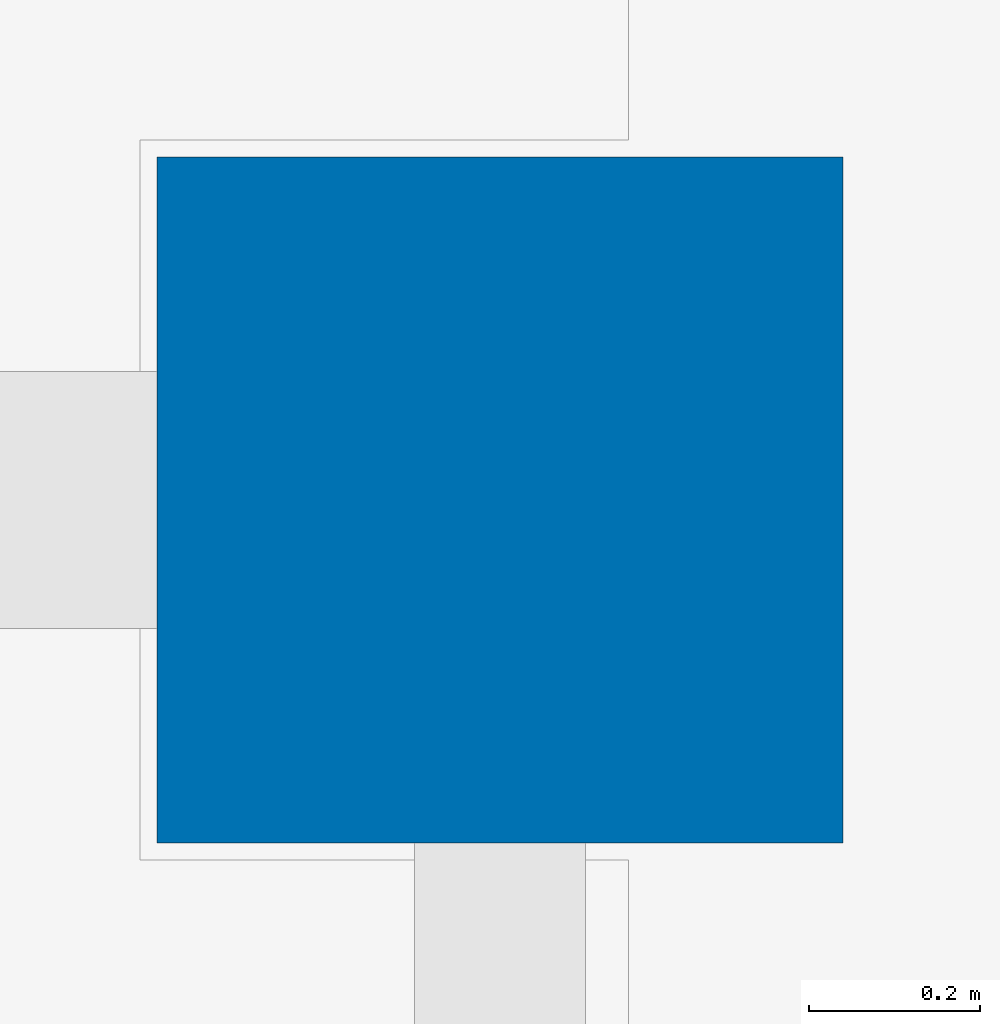
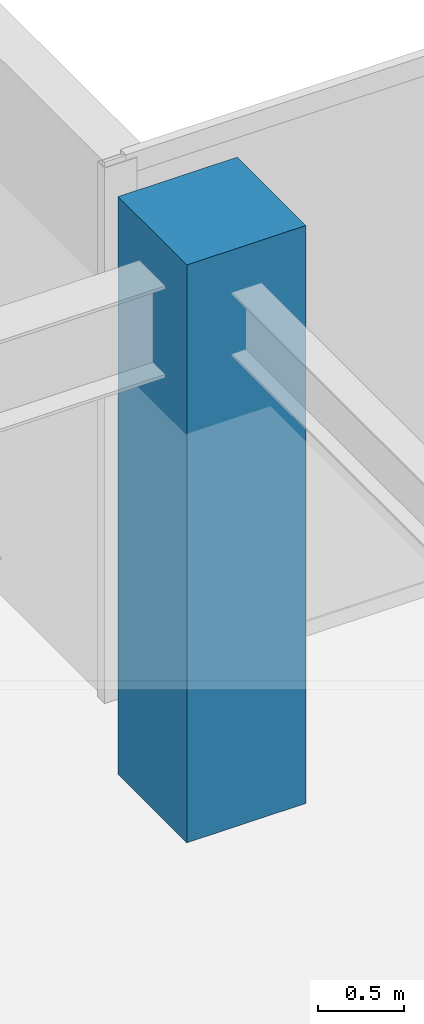
# One storey, part 4 of 35: 1 column.
"""IFC4 building model written with IfcOpenShell, lengths in metres."""

from ifc_helpers import new_model, si_unit, direction, frame, origin, origin_2d, place, context, subcontext, project, spatial, rectangle, extrude, source, transform, mapped, material, material_profile, profile_set, type_object, type_shapes, element, save


model = new_model("IFC4")

# Units and contexts
model_context = context("Model", 3, precision=1e-05, world=origin(), true_north=direction((0.0, 1.0)))
body_context = subcontext(model_context, "Body", "Model", "MODEL_VIEW")
ifc_project = project(units=[si_unit("LENGTHUNIT", "METRE"), si_unit("AREAUNIT", "SQUARE_METRE"), si_unit("VOLUMEUNIT", "CUBIC_METRE"), si_unit("PLANEANGLEUNIT", "RADIAN"), si_unit("MASSUNIT", "GRAM", prefix="KILO")], contexts=[model_context])

# Site, building, storey
site_placement = place(None, origin())
site = spatial("IfcSite", under=ifc_project, at=site_placement, CompositionType="ELEMENT")
building_placement = place(site_placement, origin())
building = spatial("IfcBuilding", under=site, at=building_placement, Name="Haelvirn Gate Laboratories", CompositionType="ELEMENT")
storey_placement = place(building_placement, frame((0.0, 0.0, 234.199951171875)))
storey = spatial("IfcBuildingStorey", under=building, at=storey_placement, Name="L56", CompositionType="ELEMENT", Elevation=234.199951171875)

# Column
ifc_material = material(Name="Concrete C50/60", Category="concrete")
ifc_material_profile = material_profile(ifc_material, rectangle(XDim=0.800048828125, YDim=0.800048828125, at=origin_2d()), Name="RC-800x800")
ifc_profile_set = profile_set([ifc_material_profile], Name="Concrete C50/60")
column_type = type_object("IfcColumnType", Name="COL-RC-800", PredefinedType="COLUMN", material=ifc_profile_set)
shared_shape = source(origin(), body_context, "Body", "SweptSolid", [
    extrude(rectangle(XDim=0.800048828125, YDim=0.800048828125, at=origin_2d()), origin(), (0.0, 0.0, 1.0), 4.10009765625),
])
type_shapes(column_type, [shared_shape])
column_placement = place(storey_placement, frame((67.39990234375, 41.60009765625, 0.0), z_axis=(0.0, 0.0, 1.0), x_axis=(1.0, 0.0, 0.0)))
element("IfcColumn", 1, at=column_placement, inside=storey, type_object=column_type, Name="L56 Column 10G", PredefinedType="COLUMN", context=body_context, shape_type="MappedRepresentation", body=[
    mapped(shared_shape, transform((0.0, 0.0, 0.0), scale=1.0)),
])

save(model, "model.ifc")
